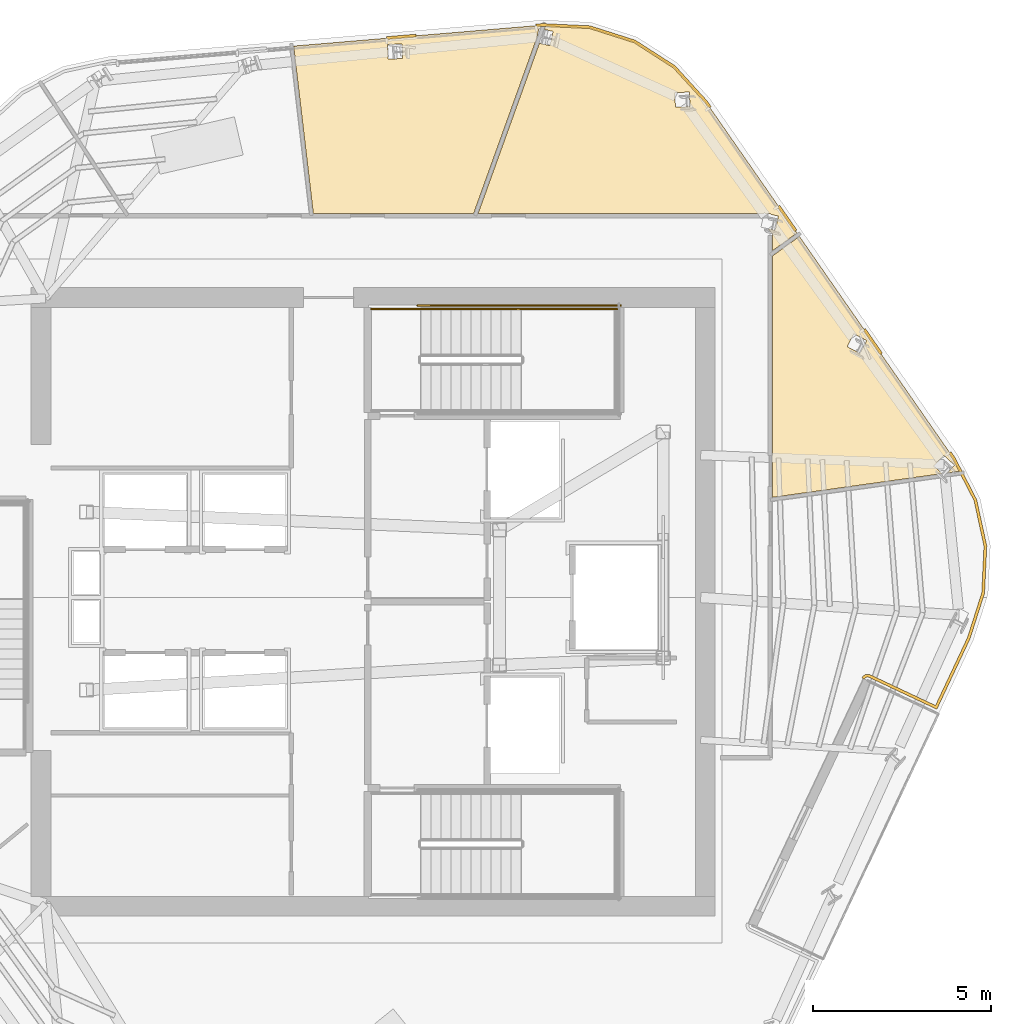
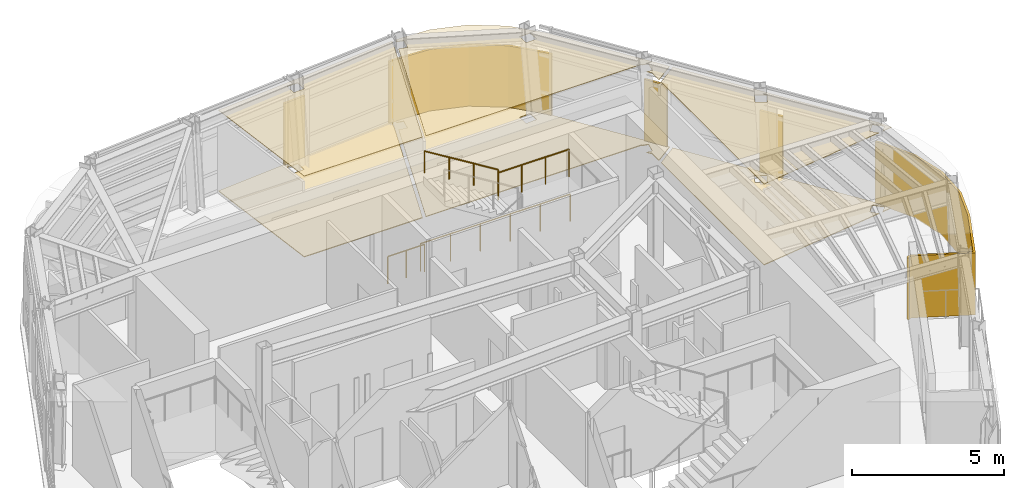
# One storey, part 13 of 14: 11 coverings, 4 railings.
"""IFC4 building model written with IfcOpenShell, lengths in metres."""

from ifc_helpers import new_model, si_unit, direction, frame, origin, origin_2d, place, context, subcontext, project, spatial, polyline, circle, outline, extrude, material, layer, layer_set, type_object, element, save


model = new_model("IFC4")

# Units and contexts
model_context = context("Model", 3, precision=1e-05, world=origin(), true_north=direction((0.0, 1.0)))
body_context = subcontext(model_context, "Body", "Model", "MODEL_VIEW")
ifc_project = project(units=[si_unit("LENGTHUNIT", "METRE"), si_unit("AREAUNIT", "SQUARE_METRE"), si_unit("VOLUMEUNIT", "CUBIC_METRE"), si_unit("PLANEANGLEUNIT", "RADIAN"), si_unit("MASSUNIT", "GRAM", prefix="KILO")], contexts=[model_context])

# Site, building, storey
site_placement = place(None, origin())
site = spatial("IfcSite", under=ifc_project, at=site_placement, CompositionType="ELEMENT")
building_placement = place(site_placement, origin())
building = spatial("IfcBuilding", under=site, at=building_placement, Name="Valkerne Bourse Tower", CompositionType="ELEMENT")
storey_placement = place(building_placement, frame((0.0, 0.0, 304.0)))
storey = spatial("IfcBuildingStorey", under=building, at=storey_placement, Name="L77", CompositionType="ELEMENT", Elevation=304.0)

# Coverings
ifc_material_1 = material(Name="Mineral Fiber Acoustic Ceiling Tile", Category="acoustic")
ifc_layer_1 = layer(ifc_material_1, 0.02490234375)
ifc_layer_set_1 = layer_set([ifc_layer_1], Name="Mineral Fiber Acoustic Ceiling Tile")
covering_type_1 = type_object("IfcCoveringType", Name="COV-CEIL-ACT", PredefinedType="CEILING", material=ifc_layer_set_1)
covering_1_placement = place(storey_placement, frame((0.0, 0.0, 3.25)))
element("IfcCovering", 1, at=covering_1_placement, inside=storey, type_object=covering_type_1, Name="L77 Suspended Ceiling 04", PredefinedType="CEILING", context=body_context, shape_type="SweptSolid", body=[
    extrude(outline(polyline([(62.9287109375, 30.4990234375), (63.1259765625, 30.713623046875), (63.12548828125, 30.716064453125), (62.823974609375, 30.991943359375), (62.548828125, 30.692626953125), (62.54931640625, 30.690185546875), (62.781005859375, 30.478271484375), (58.01904296875, 29.8125), (58.01904296875, 36.59326171875), (58.7724609375, 37.13916015625), (63.09912109375, 30.913818359375), (63.287353515625, 30.549072265625), (62.9287109375, 30.4990234375)]), holes=[polyline([(60.66259765625, 34.21435546875), (60.30078125, 34.40478515625), (60.110595703125, 34.04541015625), (60.11181640625, 34.04345703125), (60.473388671875, 33.85302734375), (60.66357421875, 34.21240234375), (60.66259765625, 34.21435546875)])]), origin(), (0.0, 0.0, 1.0), 0.02490234375),
])
covering_2_placement = place(storey_placement, frame((0.0, 0.0, 3.25)))
element("IfcCovering", 2, at=covering_2_placement, inside=storey, type_object=covering_type_1, Name="L77 Suspended Ceiling 07", PredefinedType="CEILING", context=body_context, shape_type="SweptSolid", body=[
    extrude(outline(polyline([(45.12109375, 37.7890625), (44.569580078125, 42.4853515625), (51.526611328125, 43.069580078125), (51.4931640625, 42.976318359375), (51.456787109375, 42.984375), (51.3935546875, 42.699951171875), (49.62548828125, 37.7890625), (45.12109375, 37.7890625)]), holes=[polyline([(47.615966796875, 42.54345703125), (47.61376953125, 42.54345703125), (47.2080078125, 42.528076171875), (47.223388671875, 42.119140625), (47.2255859375, 42.118896484375), (47.63134765625, 42.134521484375), (47.615966796875, 42.54345703125)])]), origin(), (0.0, 0.0, 1.0), 0.02490234375),
])
covering_3_placement = place(storey_placement, frame((0.0, 0.0, 3.25)))
element("IfcCovering", 3, at=covering_3_placement, inside=storey, type_object=covering_type_1, Name="L77 Suspended Ceiling 08", PredefinedType="CEILING", context=body_context, shape_type="SweptSolid", body=[
    extrude(outline(polyline([(55.25537109375, 41.895751953125), (56.149658203125, 40.91259765625), (58.705078125, 37.236083984375), (58.018798828125, 36.739013671875), (58.015625, 37.205078125), (57.997314453125, 37.2333984375), (57.96875, 37.250244140625), (57.89794921875, 37.3544921875), (58.0947265625, 37.312744140625), (58.179931640625, 37.710205078125), (58.178466796875, 37.7119140625), (57.97998046875, 37.75390625), (57.96142578125, 37.77587890625), (57.9306640625, 37.788330078125), (57.818115234375, 37.788330078125), (57.77880859375, 37.796875), (57.77685546875, 37.788330078125), (49.7509765625, 37.7890625), (51.469482421875, 42.562255859375), (51.7666015625, 42.49609375), (51.85546875, 42.895751953125), (51.85302734375, 42.896484375), (51.609375, 42.95068359375), (51.651611328125, 43.068115234375), (52.8876953125, 43.009765625), (54.14501953125, 42.608642578125), (55.25537109375, 41.895751953125)]), holes=[polyline([(55.682373046875, 41.192626953125), (55.680419921875, 41.19384765625), (55.272216796875, 41.174560546875), (55.290283203125, 40.7685546875), (55.29248046875, 40.76708984375), (55.70068359375, 40.78662109375), (55.682373046875, 41.192626953125)])]), origin(), (0.0, 0.0, 1.0), 0.02490234375),
])
ifc_material_2 = material(Name="Bronze Anodised Aluminium AA 6063-T6", Category="aluminium")
ifc_layer_2 = layer(ifc_material_2, 0.06005859375)
ifc_layer_set_2 = layer_set([ifc_layer_2], Name="Bronze Anodised Aluminium AA 6063-T6")
covering_type_2 = type_object("IfcCoveringType", Name="COV-CRN-ALUM", PredefinedType="CLADDING", material=ifc_layer_set_2)
covering_4_placement = place(storey_placement, origin())
element("IfcCovering", 4, at=covering_4_placement, inside=storey, type_object=covering_type_2, Name="L77 Wind-Shaped Corner Aluminium Cladding 12", PredefinedType="CLADDING", context=body_context, shape_type="SweptSolid", body=[
    extrude(outline(polyline([(48.006591796875, 42.818115234375), (48.01318359375, 42.73828125), (47.17626953125, 42.668212890625), (47.16943359375, 42.747802734375), (48.006591796875, 42.818115234375)])), origin(), (0.0, 0.0, 1.0), 2.5),
])
covering_5_placement = place(storey_placement, origin())
element("IfcCovering", 5, at=covering_5_placement, inside=storey, type_object=covering_type_2, Name="L77 Wind-Shaped Corner Aluminium Cladding 13", PredefinedType="CLADDING", context=body_context, shape_type="SweptSolid", body=[
    extrude(outline(polyline([(51.559326171875, 43.116455078125), (52.8955078125, 43.053466796875), (54.163818359375, 42.648681640625), (55.283935546875, 41.9296875), (56.18408203125, 40.940185546875), (56.29443359375, 40.781494140625), (56.228759765625, 40.73583984375), (56.12158203125, 40.89013671875), (55.231689453125, 41.867919921875), (54.12939453125, 42.57568359375), (52.88134765625, 42.97412109375), (51.560791015625, 43.0361328125), (51.373291015625, 43.0205078125), (51.36669921875, 43.10009765625), (51.559326171875, 43.116455078125)])), origin(), (0.0, 0.0, 1.0), 2.5),
])
covering_6_placement = place(storey_placement, origin())
element("IfcCovering", 6, at=covering_6_placement, inside=storey, type_object=covering_type_2, Name="L77 Wind-Shaped Corner Aluminium Cladding 14", PredefinedType="CLADDING", context=body_context, shape_type="SweptSolid", body=[
    extrude(outline(polyline([(58.6982421875, 37.32275390625), (58.632568359375, 37.277099609375), (58.1533203125, 37.966796875), (58.218994140625, 38.0126953125), (58.6982421875, 37.32275390625)])), origin(), (0.0, 0.0, 1.0), 2.5),
])
covering_7_placement = place(storey_placement, origin())
element("IfcCovering", 7, at=covering_7_placement, inside=storey, type_object=covering_type_2, Name="L77 Wind-Shaped Corner Aluminium Cladding 15", PredefinedType="CLADDING", context=body_context, shape_type="SweptSolid", body=[
    extrude(outline(polyline([(61.102294921875, 33.864013671875), (61.03662109375, 33.818603515625), (60.55712890625, 34.50830078125), (60.622802734375, 34.5537109375), (61.102294921875, 33.864013671875)])), origin(), (0.0, 0.0, 1.0), 2.5),
])
covering_8_placement = place(storey_placement, origin())
element("IfcCovering", 8, at=covering_8_placement, inside=storey, type_object=covering_type_2, Name="L77 Wind-Shaped Corner Aluminium Cladding 16", PredefinedType="CLADDING", context=body_context, shape_type="SweptSolid", body=[
    extrude(outline(polyline([(63.136962890625, 30.9365234375), (63.75048828125, 29.747802734375), (64.033935546875, 28.447265625), (63.97119140625, 27.11767578125), (63.564697265625, 25.843017578125), (62.631591796875, 23.8603515625), (60.7314453125, 24.754638671875), (60.722412109375, 24.75830078125), (60.712890625, 24.76123046875), (60.703369140625, 24.762939453125), (60.693603515625, 24.763916015625), (60.683837890625, 24.763916015625), (60.674072265625, 24.762939453125), (60.664306640625, 24.760986328125), (60.655029296875, 24.75830078125), (60.64599609375, 24.75439453125), (60.63720703125, 24.749755859375), (60.629150390625, 24.744384765625), (60.62158203125, 24.738037109375), (60.61474609375, 24.731201171875), (60.6083984375, 24.723388671875), (60.60302734375, 24.71533203125), (60.598388671875, 24.706787109375), (60.52587890625, 24.74072265625), (60.5341796875, 24.75634765625), (60.544189453125, 24.77099609375), (60.555419921875, 24.78466796875), (60.56787109375, 24.797119140625), (60.581298828125, 24.80859375), (60.59619140625, 24.818359375), (60.611572265625, 24.82666015625), (60.6279296875, 24.83349609375), (60.644775390625, 24.838623046875), (60.662109375, 24.842041015625), (60.6796875, 24.843994140625), (60.697509765625, 24.843994140625), (60.715087890625, 24.84228515625), (60.732421875, 24.8388671875), (60.749267578125, 24.833740234375), (60.765380859375, 24.826904296875), (62.593505859375, 23.966796875), (63.489990234375, 25.872314453125), (63.891845703125, 27.1318359375), (63.95361328125, 28.4404296875), (63.674560546875, 29.720458984375), (63.068359375, 30.895263671875), (62.9609375, 31.049560546875), (63.026611328125, 31.09521484375), (63.136962890625, 30.9365234375)])), origin(), (0.0, 0.0, 1.0), 2.5),
])
ifc_material_3 = material(Name="Polished Granite Stone", Category="masonry")
ifc_layer_3 = layer(ifc_material_3, 0.030029296875)
ifc_layer_set_3 = layer_set([ifc_layer_3], Name="Polished Granite Stone")
covering_type_3 = type_object("IfcCoveringType", Name="COV-FLR-TERRAZZO", PredefinedType="FLOORING", material=ifc_layer_set_3)
covering_9_placement = place(storey_placement, origin())
element("IfcCovering", 9, at=covering_9_placement, inside=storey, type_object=covering_type_3, Name="L77 Floor Finish 04", PredefinedType="FLOORING", context=body_context, shape_type="SweptSolid", body=[
    extrude(outline(polyline([(62.9287109375, 30.4990234375), (63.1259765625, 30.713623046875), (63.12548828125, 30.716064453125), (62.823974609375, 30.991943359375), (62.548828125, 30.692626953125), (62.54931640625, 30.690185546875), (62.781005859375, 30.478271484375), (58.01904296875, 29.8125), (58.01904296875, 36.59326171875), (58.7724609375, 37.13916015625), (63.09912109375, 30.913818359375), (63.287353515625, 30.549072265625), (62.9287109375, 30.4990234375)]), holes=[polyline([(60.66259765625, 34.21435546875), (60.30078125, 34.40478515625), (60.110595703125, 34.04541015625), (60.11181640625, 34.04345703125), (60.473388671875, 33.85302734375), (60.66357421875, 34.21240234375), (60.66259765625, 34.21435546875)])]), origin(), (0.0, 0.0, 1.0), 0.030029296875),
])
covering_10_placement = place(storey_placement, origin())
element("IfcCovering", 10, at=covering_10_placement, inside=storey, type_object=covering_type_3, Name="L77 Floor Finish 07", PredefinedType="FLOORING", context=body_context, shape_type="SweptSolid", body=[
    extrude(outline(polyline([(45.12109375, 37.7890625), (44.569580078125, 42.4853515625), (51.526611328125, 43.069580078125), (51.4931640625, 42.976318359375), (51.456787109375, 42.984375), (51.3935546875, 42.699951171875), (49.62548828125, 37.7890625), (45.12109375, 37.7890625)]), holes=[polyline([(47.615966796875, 42.54345703125), (47.61376953125, 42.54345703125), (47.2080078125, 42.528076171875), (47.223388671875, 42.119140625), (47.2255859375, 42.118896484375), (47.63134765625, 42.134521484375), (47.615966796875, 42.54345703125)])]), origin(), (0.0, 0.0, 1.0), 0.030029296875),
])
covering_11_placement = place(storey_placement, origin())
element("IfcCovering", 11, at=covering_11_placement, inside=storey, type_object=covering_type_3, Name="L77 Floor Finish 08", PredefinedType="FLOORING", context=body_context, shape_type="SweptSolid", body=[
    extrude(outline(polyline([(55.25537109375, 41.895751953125), (56.149658203125, 40.91259765625), (58.705078125, 37.236083984375), (58.018798828125, 36.739013671875), (58.015625, 37.205078125), (57.997314453125, 37.2333984375), (57.96875, 37.250244140625), (57.89794921875, 37.3544921875), (58.0947265625, 37.312744140625), (58.179931640625, 37.710205078125), (58.178466796875, 37.7119140625), (57.97998046875, 37.75390625), (57.96142578125, 37.77587890625), (57.9306640625, 37.788330078125), (57.818115234375, 37.788330078125), (57.77880859375, 37.796875), (57.77685546875, 37.788330078125), (49.7509765625, 37.7890625), (51.469482421875, 42.562255859375), (51.7666015625, 42.49609375), (51.85546875, 42.895751953125), (51.85302734375, 42.896484375), (51.609375, 42.95068359375), (51.651611328125, 43.068115234375), (52.8876953125, 43.009765625), (54.14501953125, 42.608642578125), (55.25537109375, 41.895751953125)]), holes=[polyline([(55.682373046875, 41.192626953125), (55.680419921875, 41.19384765625), (55.272216796875, 41.174560546875), (55.290283203125, 40.7685546875), (55.29248046875, 40.76708984375), (55.70068359375, 40.78662109375), (55.682373046875, 41.192626953125)])]), origin(), (0.0, 0.0, 1.0), 0.030029296875),
])

# Railings
ifc_material_4 = material(Name="Galvanised Painted Steel", Category="steel")
railing_type_1 = type_object("IfcRailingType", Name="RLG-ST-GUARD-1120", PredefinedType="GUARDRAIL", material=ifc_material_4)
railing_1_placement = place(storey_placement, frame((50.949951171875, 35.10009765625, 1.89990234375)))
element("IfcRailing", 12, at=railing_1_placement, inside=storey, type_object=railing_type_1, Name="L77 ST-2 stair guard 4", PredefinedType="GUARDRAIL", context=body_context, shape_type="SweptSolid", body=[
    extrude(circle(Radius=0.02392578125, at=origin_2d()), frame((0.0, 0.0, 1.09619140625), z_axis=(1.0, 0.0, 0.0), x_axis=(0.0, 1.0, 0.0)), (0.0, 0.0, 1.0), 2.699951171875),
    extrude(circle(Radius=0.02099609375, at=origin_2d()), origin(), (0.0, 0.0, 1.0), 1.072021484375),
    extrude(circle(Radius=0.02099609375, at=origin_2d()), frame((0.89990234375, 0.0, 0.0)), (0.0, 0.0, 1.0), 1.072021484375),
    extrude(circle(Radius=0.02099609375, at=origin_2d()), frame((1.800048828125, 0.0, 0.0)), (0.0, 0.0, 1.0), 1.072021484375),
    extrude(circle(Radius=0.02099609375, at=origin_2d()), frame((2.699951171875, 0.0, 0.0)), (0.0, 0.0, 1.0), 1.072021484375),
])
railing_2_placement = place(storey_placement, frame((46.75, 35.10009765625, 0.0)))
element("IfcRailing", 13, at=railing_2_placement, inside=storey, type_object=railing_type_1, Name="L77 ST-2 stair guard 9", PredefinedType="GUARDRAIL", context=body_context, shape_type="SweptSolid", body=[
    extrude(circle(Radius=0.02392578125, at=origin_2d()), frame((0.0, 0.0, 1.09619140625), z_axis=(1.0, 0.0, 0.0), x_axis=(0.0, 1.0, 0.0)), (0.0, 0.0, 1.0), 1.39990234375),
    extrude(circle(Radius=0.02099609375, at=origin_2d()), origin(), (0.0, 0.0, 1.0), 1.072021484375),
    extrude(circle(Radius=0.02099609375, at=origin_2d()), frame((0.699951171875, 0.0, 0.0)), (0.0, 0.0, 1.0), 1.072021484375),
    extrude(circle(Radius=0.02099609375, at=origin_2d()), frame((1.39990234375, 0.0, 0.0)), (0.0, 0.0, 1.0), 1.072021484375),
])
railing_3_placement = place(storey_placement, frame((48.050048828125, 35.199951171875, 0.0)))
element("IfcRailing", 14, at=railing_3_placement, inside=storey, type_object=railing_type_1, Name="L77 ST-2 stair guard 11", PredefinedType="GUARDRAIL", context=body_context, shape_type="SweptSolid", body=[
    extrude(circle(Radius=0.02392578125, at=origin_2d()), frame((0.0, 0.0, 1.09619140625), z_axis=(1.0, 0.0, 0.0), x_axis=(0.0, 1.0, 0.0)), (0.0, 0.0, 1.0), 5.699951171875),
    extrude(circle(Radius=0.02099609375, at=origin_2d()), origin(), (0.0, 0.0, 1.0), 1.072021484375),
    extrude(circle(Radius=0.02099609375, at=origin_2d()), frame((1.139892578125, 0.0, 0.0)), (0.0, 0.0, 1.0), 1.072021484375),
    extrude(circle(Radius=0.02099609375, at=origin_2d()), frame((2.280029296875, 0.0, 0.0)), (0.0, 0.0, 1.0), 1.072021484375),
    extrude(circle(Radius=0.02099609375, at=origin_2d()), frame((3.419921875, 0.0, 0.0)), (0.0, 0.0, 1.0), 1.072021484375),
    extrude(circle(Radius=0.02099609375, at=origin_2d()), frame((4.56005859375, 0.0, 0.0)), (0.0, 0.0, 1.0), 1.072021484375),
    extrude(circle(Radius=0.02099609375, at=origin_2d()), frame((5.699951171875, 0.0, 0.0)), (0.0, 0.0, 1.0), 1.072021484375),
])
ifc_material_5 = material(Name="Stainless Steel AISI 316", Category="steel")
railing_type_2 = type_object("IfcRailingType", Name="RLG-ST-HANDRAIL-900", PredefinedType="HANDRAIL", material=ifc_material_5)
railing_4_placement = place(storey_placement, frame((50.949951171875, 35.10009765625, 2.245361328125)))
element("IfcRailing", 15, at=railing_4_placement, inside=storey, type_object=railing_type_2, Name="L77 ST-2 stair handrail 2", PredefinedType="HANDRAIL", context=body_context, shape_type="SweptSolid", body=[
    extrude(circle(Radius=0.02392578125, at=origin_2d()), frame((0.0, 0.0, 0.8759765625), z_axis=(-0.851089632645, 0.0, 0.525020415988), x_axis=(0.0, -1.0, 0.0)), (0.0, 0.0, 1.0), 3.2900390625),
    extrude(circle(Radius=0.02099609375, at=origin_2d()), origin(), (0.0, 0.0, 1.0), 0.851806640625),
    extrude(circle(Radius=0.02099609375, at=origin_2d()), frame((-0.933349609375, 0.0, 0.57568359375)), (0.0, 0.0, 1.0), 0.851806640625),
    extrude(circle(Radius=0.02099609375, at=origin_2d()), frame((-1.86669921875, 0.0, 1.151611328125)), (0.0, 0.0, 1.0), 0.851806640625),
    extrude(circle(Radius=0.02099609375, at=origin_2d()), frame((-2.800048828125, 0.0, 1.727294921875)), (0.0, 0.0, 1.0), 0.851806640625),
])

save(model, "model.ifc")
